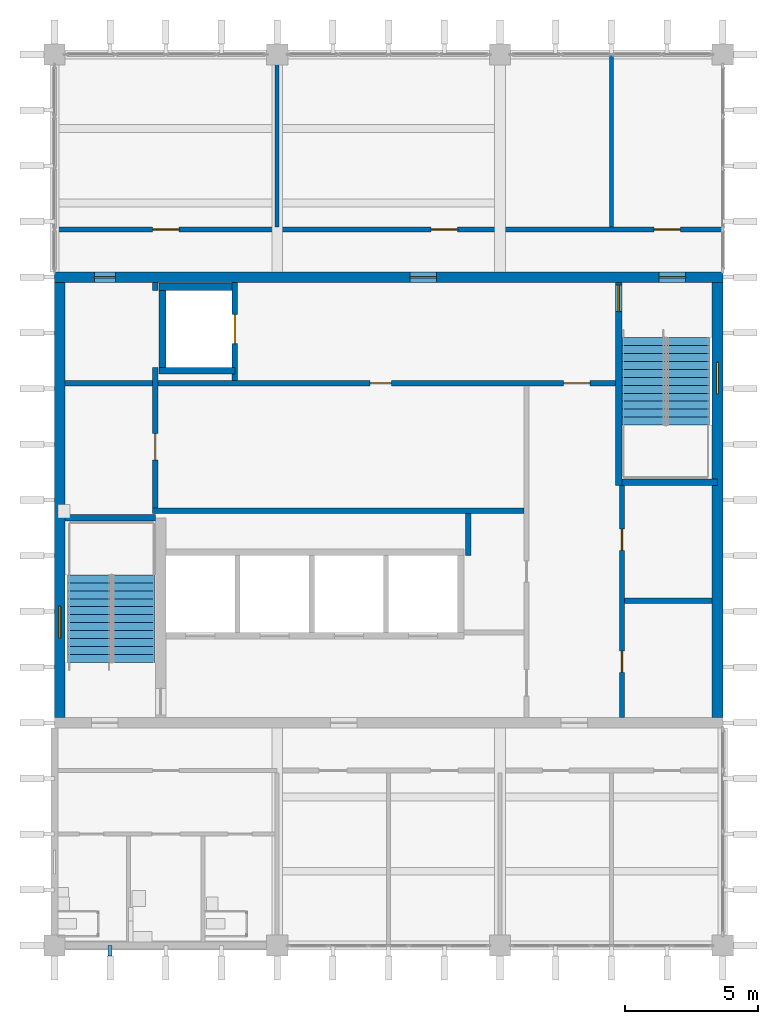
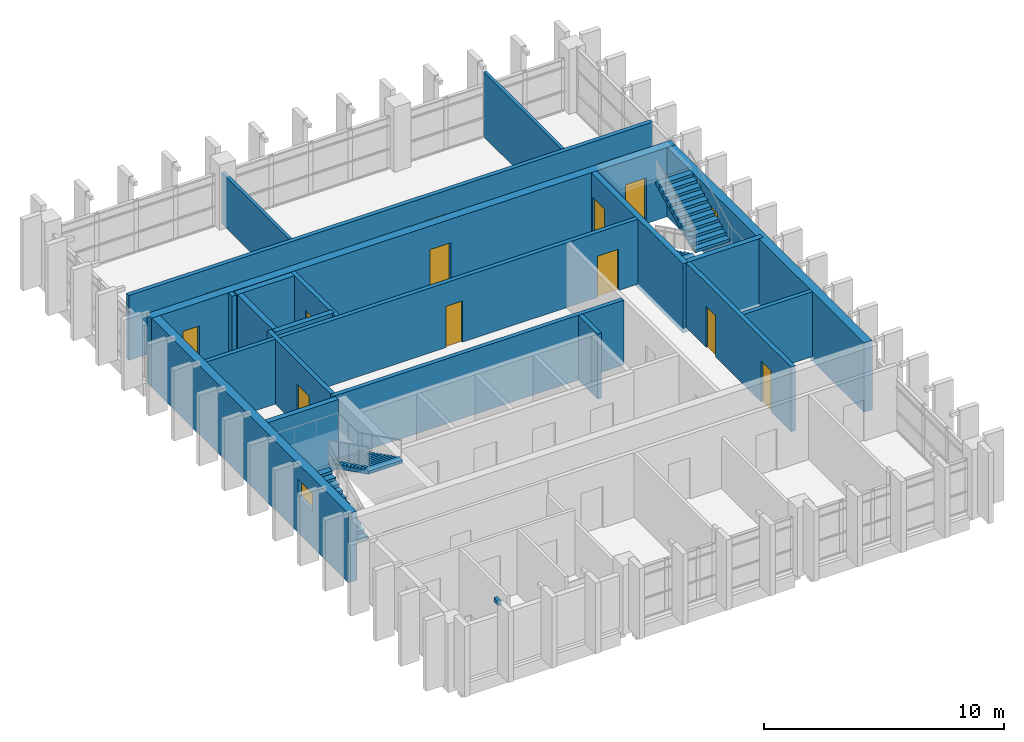
# One storey, part 8 of 11: 20 walls, 13 doors, 4 stair flights, 2 windows, 1 discrete accessory, 15 openings, 2 elements without a shape of their own.
"""IFC4 building model written with IfcOpenShell, lengths in metres."""

from ifc_helpers import new_model, si_unit, direction, frame, frame_2d, origin, origin_2d, place, context, subcontext, project, spatial, polyline, rectangle, outline, extrude, material, layer, layer_set, type_object, element, fill, aggregate, save


model = new_model("IFC4")

# Units and contexts
model_context = context("Model", 3, precision=1e-05, world=origin(), true_north=direction((0.0, 1.0)))
body_context = subcontext(model_context, "Body", "Model", "MODEL_VIEW")
ifc_project = project(units=[si_unit("LENGTHUNIT", "METRE"), si_unit("AREAUNIT", "SQUARE_METRE"), si_unit("VOLUMEUNIT", "CUBIC_METRE"), si_unit("PLANEANGLEUNIT", "RADIAN"), si_unit("MASSUNIT", "GRAM", prefix="KILO")], contexts=[model_context])

# Site, building, storey
site_placement = place(None, origin())
site = spatial("IfcSite", under=ifc_project, at=site_placement, CompositionType="ELEMENT")
building_placement = place(site_placement, origin())
building = spatial("IfcBuilding", under=site, at=building_placement, Name="Rulbaag Community and Learning Centre", CompositionType="ELEMENT")
storey_placement = place(building_placement, frame((0.0, 0.0, 46.800048828125)))
storey = spatial("IfcBuildingStorey", under=building, at=storey_placement, Name="L12", CompositionType="ELEMENT", Elevation=46.800048828125)

# Walls
ifc_material_1 = material(Name="Concrete blockwork", Category="masonry")
ifc_layer_1 = layer(ifc_material_1, 0.199951171875)
ifc_layer_set_1 = layer_set([ifc_layer_1], Name="FW-200 FIRE WALL 200")
wall_type_1 = type_object("IfcWallType", Name="FW-200 FIRE WALL 200", PredefinedType="SOLIDWALL", material=ifc_layer_set_1)
wall_1_placement = place(storey_placement, frame((164.300048828125, 97.0, 0.0), z_axis=(0.0, 0.0, 1.0), x_axis=(1.0, 0.0, 0.0)))
element("IfcWall", 1, at=wall_1_placement, inside=storey, type_object=wall_type_1, Name="Fire wall L12 6", PredefinedType="SOLIDWALL", context=body_context, shape_type="SweptSolid", body=[
    extrude(rectangle(XDim=3.300048828125, YDim=0.199951171875, at=frame_2d((1.64990234375, 0.0))), origin(), (0.0, 0.0, 1.0), 3.300048828125),
])
wall_2_placement = place(storey_placement, frame((146.5, 100.39990234375, 0.0), z_axis=(0.0, 0.0, 1.0), x_axis=(1.0, 0.0, 0.0)))
element("IfcWall", 2, at=wall_2_placement, inside=storey, type_object=wall_type_1, Name="Fire wall L12 8", PredefinedType="SOLIDWALL", context=body_context, shape_type="SweptSolid", body=[
    extrude(rectangle(XDim=14.0, YDim=0.199951171875, at=frame_2d((7.0, 0.0))), origin(), (0.0, 0.0, 1.0), 3.300048828125),
])

# Wall, openings, doors
wall_3_placement = place(storey_placement, frame((143.199951171875, 105.199951171875, 0.0), z_axis=(0.0, 0.0, 1.0), x_axis=(1.0, 0.0, 0.0)))
wall_3 = element("IfcWall", 3, at=wall_3_placement, inside=storey, type_object=wall_type_1, Name="Fire wall L12 9", PredefinedType="SOLIDWALL", context=body_context, shape_type="SweptSolid", body=[
    extrude(rectangle(XDim=20.75, YDim=0.199951171875, at=frame_2d((10.375, 0.0))), origin(), (0.0, 0.0, 1.0), 3.300048828125),
])
opening_1_placement = place(wall_3_placement, frame((11.5, 0.0, 0.0)))
opening_1 = element("IfcOpeningElement", 4, at=opening_1_placement, cuts=wall_3, Name="Opening L12-D018", PredefinedType="OPENING", context=body_context, shape_type="SweptSolid", body=[
    extrude(rectangle(XDim=0.800048828125, YDim=2.10009765625, at=frame_2d((0.39990234375, 1.050048828125))), frame((0.0, 0.10986328125, 0.0), z_axis=(0.0, -1.0, 0.0), x_axis=(1.0, 0.0, 0.0)), (0.0, 0.0, 1.0), 0.219970703125),
])
opening_2_placement = place(wall_3_placement, frame((18.800048828125, 0.0, 0.0)))
opening_2 = element("IfcOpeningElement", 5, at=opening_2_placement, cuts=wall_3, Name="Opening L12-D027", PredefinedType="OPENING", context=body_context, shape_type="SweptSolid", body=[
    extrude(rectangle(XDim=1.0, YDim=2.10009765625, at=frame_2d((0.5, 1.050048828125))), frame((0.0, 0.10986328125, 0.0), z_axis=(0.0, -1.0, 0.0), x_axis=(1.0, 0.0, 0.0)), (0.0, 0.0, 1.0), 0.219970703125),
])
ifc_material_2 = material(Name="Galvanised steel", Category="steel")
door_type_1 = type_object("IfcDoorType", Name="FD-1000 FIRE DOOR 1000 x 2100", OperationType="SINGLE_SWING_LEFT", PredefinedType="DOOR", material=ifc_material_2)
door_1_placement = place(opening_2_placement, origin())
door_1 = element("IfcDoor", 6, at=door_1_placement, inside=storey, type_object=door_type_1, Name="Door L12-D027", OperationType="SINGLE_SWING_LEFT", OverallHeight=2.10009765625, OverallWidth=1.0, PredefinedType="DOOR", context=body_context, shape_type="SweptSolid", body=[
    extrude(rectangle(XDim=1.0, YDim=2.10009765625, at=frame_2d((0.5, 1.050048828125))), frame((0.0, 0.02490234375, 0.0), z_axis=(0.0, -1.0, 0.0), x_axis=(1.0, 0.0, 0.0)), (0.0, 0.0, 1.0), 0.050048828125),
])
fill(opening_2, door_1)
door_type_2 = type_object("IfcDoorType", Name="FDR-800 RISER FIRE DOOR 800 x 2100", OperationType="SINGLE_SWING_LEFT", PredefinedType="DOOR", material=ifc_material_2)
door_2_placement = place(opening_1_placement, origin())
door_2 = element("IfcDoor", 7, at=door_2_placement, inside=storey, type_object=door_type_2, Name="Riser door L12-D023", OperationType="SINGLE_SWING_RIGHT", OverallHeight=2.10009765625, OverallWidth=0.800048828125, PredefinedType="DOOR", context=body_context, shape_type="SweptSolid", body=[
    extrude(rectangle(XDim=0.800048828125, YDim=2.10009765625, at=frame_2d((0.39990234375, 1.050048828125))), frame((0.0, 0.02490234375, 0.0), z_axis=(0.0, -1.0, 0.0), x_axis=(1.0, 0.0, 0.0)), (0.0, 0.0, 1.0), 0.050048828125),
])
fill(opening_1, door_2)

wall_4_placement = place(storey_placement, frame((142.800048828125, 111.0, 0.0), z_axis=(0.0, 0.0, 1.0), x_axis=(1.0, 0.0, 0.0)))
wall_4 = element("IfcWall", 8, at=wall_4_placement, inside=storey, type_object=wall_type_1, Name="Fire wall L12 10", PredefinedType="SOLIDWALL", context=body_context, shape_type="SweptSolid", body=[
    extrude(rectangle(XDim=25.199951171875, YDim=0.199951171875, at=frame_2d((12.60009765625, 0.0))), origin(), (0.0, 0.0, 1.0), 3.300048828125),
])
opening_3_placement = place(wall_4_placement, frame((3.699951171875, 0.0, 0.0)))
opening_3 = element("IfcOpeningElement", 9, at=opening_3_placement, cuts=wall_4, Name="Opening L12-D009", PredefinedType="OPENING", context=body_context, shape_type="SweptSolid", body=[
    extrude(rectangle(XDim=1.0, YDim=2.10009765625, at=frame_2d((0.5, 1.050048828125))), frame((0.0, 0.10986328125, 0.0), z_axis=(0.0, -1.0, 0.0), x_axis=(1.0, 0.0, 0.0)), (0.0, 0.0, 1.0), 0.219970703125),
])
opening_4_placement = place(wall_4_placement, frame((14.199951171875, 0.0, 0.0)))
opening_4 = element("IfcOpeningElement", 10, at=opening_4_placement, cuts=wall_4, Name="Opening L12-D022", PredefinedType="OPENING", context=body_context, shape_type="SweptSolid", body=[
    extrude(rectangle(XDim=1.0, YDim=2.10009765625, at=frame_2d((0.5, 1.050048828125))), frame((0.0, 0.10986328125, 0.0), z_axis=(0.0, -1.0, 0.0), x_axis=(1.0, 0.0, 0.0)), (0.0, 0.0, 1.0), 0.219970703125),
])
opening_5_placement = place(wall_4_placement, frame((22.60009765625, 0.0, 0.0)))
opening_5 = element("IfcOpeningElement", 11, at=opening_5_placement, cuts=wall_4, Name="Opening L12-D032", PredefinedType="OPENING", context=body_context, shape_type="SweptSolid", body=[
    extrude(rectangle(XDim=1.0, YDim=2.10009765625, at=frame_2d((0.5, 1.050048828125))), frame((0.0, 0.10986328125, 0.0), z_axis=(0.0, -1.0, 0.0), x_axis=(1.0, 0.0, 0.0)), (0.0, 0.0, 1.0), 0.219970703125),
])
door_3_placement = place(opening_3_placement, origin())
door_3 = element("IfcDoor", 12, at=door_3_placement, inside=storey, type_object=door_type_1, Name="Door L12-D009", OperationType="SINGLE_SWING_RIGHT", OverallHeight=2.10009765625, OverallWidth=1.0, PredefinedType="DOOR", context=body_context, shape_type="SweptSolid", body=[
    extrude(rectangle(XDim=1.0, YDim=2.10009765625, at=frame_2d((0.5, 1.050048828125))), frame((0.0, 0.02490234375, 0.0), z_axis=(0.0, -1.0, 0.0), x_axis=(1.0, 0.0, 0.0)), (0.0, 0.0, 1.0), 0.050048828125),
])
fill(opening_3, door_3)
door_4_placement = place(opening_4_placement, origin())
door_4 = element("IfcDoor", 13, at=door_4_placement, inside=storey, type_object=door_type_1, Name="Door L12-D022", OperationType="SINGLE_SWING_LEFT", OverallHeight=2.10009765625, OverallWidth=1.0, PredefinedType="DOOR", context=body_context, shape_type="SweptSolid", body=[
    extrude(rectangle(XDim=1.0, YDim=2.10009765625, at=frame_2d((0.5, 1.050048828125))), frame((0.0, 0.02490234375, 0.0), z_axis=(0.0, -1.0, 0.0), x_axis=(1.0, 0.0, 0.0)), (0.0, 0.0, 1.0), 0.050048828125),
])
fill(opening_4, door_4)
door_5_placement = place(opening_5_placement, origin())
door_5 = element("IfcDoor", 14, at=door_5_placement, inside=storey, type_object=door_type_1, Name="Door L12-D032", OperationType="SINGLE_SWING_LEFT", OverallHeight=2.10009765625, OverallWidth=1.0, PredefinedType="DOOR", context=body_context, shape_type="SweptSolid", body=[
    extrude(rectangle(XDim=1.0, YDim=2.10009765625, at=frame_2d((0.5, 1.050048828125))), frame((0.0, 0.02490234375, 0.0), z_axis=(0.0, -1.0, 0.0), x_axis=(1.0, 0.0, 0.0)), (0.0, 0.0, 1.0), 0.050048828125),
])
fill(opening_5, door_5)

# Wall, opening, door
wall_5_placement = place(storey_placement, frame((146.60009765625, 100.5, 0.0), z_axis=(0.0, 0.0, 1.0), x_axis=(0.0, 1.0, 0.0)))
wall_5 = element("IfcWall", 15, at=wall_5_placement, inside=storey, type_object=wall_type_1, Name="Fire wall L12 12", PredefinedType="SOLIDWALL", context=body_context, shape_type="SweptSolid", body=[
    extrude(rectangle(XDim=5.300048828125, YDim=0.199951171875, at=frame_2d((2.64990234375, 0.0))), origin(), (0.0, 0.0, 1.0), 3.300048828125),
])
opening_6_placement = place(wall_5_placement, frame((1.800048828125, 0.0, 0.0)))
opening_6 = element("IfcOpeningElement", 16, at=opening_6_placement, cuts=wall_5, Name="Opening L12-D005", PredefinedType="OPENING", context=body_context, shape_type="SweptSolid", body=[
    extrude(rectangle(XDim=1.0, YDim=2.10009765625, at=frame_2d((0.5, 1.050048828125))), frame((0.0, 0.10986328125, 0.0), z_axis=(0.0, -1.0, 0.0), x_axis=(1.0, 0.0, 0.0)), (0.0, 0.0, 1.0), 0.219970703125),
])
door_6_placement = place(opening_6_placement, origin())
door_6 = element("IfcDoor", 17, at=door_6_placement, inside=storey, type_object=door_type_1, Name="Door L12-D005", OperationType="SINGLE_SWING_LEFT", OverallHeight=2.10009765625, OverallWidth=1.0, PredefinedType="DOOR", context=body_context, shape_type="SweptSolid", body=[
    extrude(rectangle(XDim=1.0, YDim=2.10009765625, at=frame_2d((0.5, 1.050048828125))), frame((0.0, 0.02490234375, 0.0), z_axis=(0.0, -1.0, 0.0), x_axis=(1.0, 0.0, 0.0)), (0.0, 0.0, 1.0), 0.050048828125),
])
fill(opening_6, door_6)

# Wall
wall_6_placement = place(storey_placement, frame((146.60009765625, 108.699951171875, 0.0), z_axis=(0.0, 0.0, 1.0), x_axis=(0.0, 1.0, 0.0)))
element("IfcWall", 18, at=wall_6_placement, inside=storey, type_object=wall_type_1, Name="Fire wall L12 13", PredefinedType="SOLIDWALL", context=body_context, shape_type="SweptSolid", body=[
    extrude(rectangle(XDim=0.300048828125, YDim=0.199951171875, at=frame_2d((0.14990234375, 0.0))), origin(), (0.0, 0.0, 1.0), 3.300048828125),
])

# Wall, opening, door
wall_7_placement = place(storey_placement, frame((149.60009765625, 105.300048828125, 0.0), z_axis=(0.0, 0.0, 1.0), x_axis=(0.0, 1.0, 0.0)))
wall_7 = element("IfcWall", 19, at=wall_7_placement, inside=storey, type_object=wall_type_1, Name="Fire wall L12 15", PredefinedType="SOLIDWALL", context=body_context, shape_type="SweptSolid", body=[
    extrude(rectangle(XDim=3.699951171875, YDim=0.199951171875, at=frame_2d((1.85009765625, 0.0))), origin(), (0.0, 0.0, 1.0), 3.300048828125),
])
opening_7_placement = place(wall_7_placement, frame((1.39990234375, 0.0, 0.0)))
opening_7 = element("IfcOpeningElement", 20, at=opening_7_placement, cuts=wall_7, Name="Opening L12-D011", PredefinedType="OPENING", context=body_context, shape_type="SweptSolid", body=[
    extrude(rectangle(XDim=1.10009765625, YDim=2.10009765625, at=frame_2d((0.550048828125, 1.050048828125))), frame((0.0, 0.10986328125, 0.0), z_axis=(0.0, -1.0, 0.0), x_axis=(1.0, 0.0, 0.0)), (0.0, 0.0, 1.0), 0.219970703125),
])
ifc_material_3 = material(Name="Stainless steel grade 304", Category="steel")
door_type_3 = type_object("IfcDoorType", Name="LD-1100 LIFT LANDING DOOR 1100 x 2100", OperationType="SLIDING_TO_LEFT", PredefinedType="DOOR", material=ifc_material_3)
door_7_placement = place(opening_7_placement, origin())
door_7 = element("IfcDoor", 21, at=door_7_placement, inside=storey, type_object=door_type_3, Name="Lift landing door LF1 L12", OperationType="SLIDING_TO_LEFT", OverallHeight=2.10009765625, OverallWidth=1.10009765625, PredefinedType="DOOR", context=body_context, shape_type="SweptSolid", body=[
    extrude(rectangle(XDim=1.10009765625, YDim=2.10009765625, at=frame_2d((0.550048828125, 1.050048828125))), frame((0.0, 0.02490234375, 0.0), z_axis=(0.0, -1.0, 0.0), x_axis=(1.0, 0.0, 0.0)), (0.0, 0.0, 1.0), 0.050048828125),
])
fill(opening_7, door_7)

# Wall
wall_8_placement = place(storey_placement, frame((158.39990234375, 98.699951171875, 0.0), z_axis=(0.0, 0.0, 1.0), x_axis=(0.0, 1.0, 0.0)))
element("IfcWall", 22, at=wall_8_placement, inside=storey, type_object=wall_type_1, Name="Fire wall L12 19", PredefinedType="SOLIDWALL", context=body_context, shape_type="SweptSolid", body=[
    extrude(rectangle(XDim=1.60009765625, YDim=0.199951171875, at=frame_2d((0.800048828125, 0.0))), origin(), (0.0, 0.0, 1.0), 3.300048828125),
])

# Wall, openings, doors
wall_9_placement = place(storey_placement, frame((164.199951171875, 92.60009765625, 0.0), z_axis=(0.0, 0.0, 1.0), x_axis=(0.0, 1.0, 0.0)))
wall_9 = element("IfcWall", 23, at=wall_9_placement, inside=storey, type_object=wall_type_1, Name="Fire wall L12 24", PredefinedType="SOLIDWALL", context=body_context, shape_type="SweptSolid", body=[
    extrude(rectangle(XDim=8.75, YDim=0.199951171875, at=frame_2d((4.375, 0.0))), origin(), (0.0, 0.0, 1.0), 3.300048828125),
])
opening_8_placement = place(wall_9_placement, frame((1.699951171875, 0.0, 0.0)))
opening_8 = element("IfcOpeningElement", 24, at=opening_8_placement, cuts=wall_9, Name="Opening L12-D029", PredefinedType="OPENING", context=body_context, shape_type="SweptSolid", body=[
    extrude(rectangle(XDim=0.800048828125, YDim=2.10009765625, at=frame_2d((0.39990234375, 1.050048828125))), frame((0.0, 0.10986328125, 0.0), z_axis=(0.0, -1.0, 0.0), x_axis=(1.0, 0.0, 0.0)), (0.0, 0.0, 1.0), 0.219970703125),
])
opening_9_placement = place(wall_9_placement, frame((6.300048828125, 0.0, 0.0)))
opening_9 = element("IfcOpeningElement", 25, at=opening_9_placement, cuts=wall_9, Name="Opening L12-D030", PredefinedType="OPENING", context=body_context, shape_type="SweptSolid", body=[
    extrude(rectangle(XDim=0.800048828125, YDim=2.10009765625, at=frame_2d((0.39990234375, 1.050048828125))), frame((0.0, 0.10986328125, 0.0), z_axis=(0.0, -1.0, 0.0), x_axis=(1.0, 0.0, 0.0)), (0.0, 0.0, 1.0), 0.219970703125),
])
door_8_placement = place(opening_8_placement, origin())
door_8 = element("IfcDoor", 26, at=door_8_placement, inside=storey, type_object=door_type_2, Name="Riser door L12-D020", OperationType="SINGLE_SWING_LEFT", OverallHeight=2.10009765625, OverallWidth=0.800048828125, PredefinedType="DOOR", context=body_context, shape_type="SweptSolid", body=[
    extrude(rectangle(XDim=0.800048828125, YDim=2.10009765625, at=frame_2d((0.39990234375, 1.050048828125))), frame((0.0, 0.02490234375, 0.0), z_axis=(0.0, -1.0, 0.0), x_axis=(1.0, 0.0, 0.0)), (0.0, 0.0, 1.0), 0.050048828125),
])
fill(opening_8, door_8)
door_9_placement = place(opening_9_placement, origin())
door_9 = element("IfcDoor", 27, at=door_9_placement, inside=storey, type_object=door_type_2, Name="Riser door L12-D021", OperationType="SINGLE_SWING_RIGHT", OverallHeight=2.10009765625, OverallWidth=0.800048828125, PredefinedType="DOOR", context=body_context, shape_type="SweptSolid", body=[
    extrude(rectangle(XDim=0.800048828125, YDim=2.10009765625, at=frame_2d((0.39990234375, 1.050048828125))), frame((0.0, 0.02490234375, 0.0), z_axis=(0.0, -1.0, 0.0), x_axis=(1.0, 0.0, 0.0)), (0.0, 0.0, 1.0), 0.050048828125),
])
fill(opening_9, door_9)

# Walls
ifc_layer_2 = layer(ifc_material_1, 0.14990234375)
ifc_layer_set_2 = layer_set([ifc_layer_2], Name="IP-150 PARTITION 150")
wall_type_2 = type_object("IfcWallType", Name="IP-150 PARTITION 150", PredefinedType="PARTITIONING", material=ifc_layer_set_2)
wall_10_placement = place(storey_placement, frame((151.199951171875, 111.10009765625, 0.0), z_axis=(0.0, 0.0, 1.0), x_axis=(0.0, 1.0, 0.0)))
element("IfcWall", 28, at=wall_10_placement, inside=storey, type_object=wall_type_2, Name="Partition L12 17", PredefinedType="PARTITIONING", context=body_context, shape_type="SweptSolid", body=[
    extrude(rectangle(XDim=6.5, YDim=0.14990234375, at=frame_2d((3.25, 0.0))), origin(), (0.0, 0.0, 1.0), 2.599853515625),
])
wall_11_placement = place(storey_placement, frame((163.800048828125, 111.10009765625, 0.0), z_axis=(0.0, 0.0, 1.0), x_axis=(0.0, 1.0, 0.0)))
element("IfcWall", 29, at=wall_11_placement, inside=storey, type_object=wall_type_2, Name="Partition L12 23", PredefinedType="PARTITIONING", context=body_context, shape_type="SweptSolid", body=[
    extrude(rectangle(XDim=6.5, YDim=0.14990234375, at=frame_2d((3.25, 0.0))), origin(), (0.0, 0.0, 1.0), 3.300048828125),
])
ifc_material_4 = material(Name="Concrete M40", Category="concrete")
ifc_layer_3 = layer(ifc_material_4, 0.27490234375)
ifc_layer_set_3 = layer_set([ifc_layer_3], Name="W16 Shaft wall 275 Concrete M40")
wall_type_3 = type_object("IfcWallType", Name="W16 Shaft wall 275 Concrete M40", PredefinedType="SHEAR", material=ifc_layer_set_3)
wall_12_placement = place(storey_placement, frame((146.75, 108.83740234375, -0.22509765625), z_axis=(0.0, 0.0, 1.0), x_axis=(1.0, 0.0, 0.0)))
element("IfcWall", 30, at=wall_12_placement, inside=storey, type_object=wall_type_3, Name="WL-LF-N-L12", PredefinedType="SHEAR", context=body_context, shape_type="SweptSolid", body=[
    extrude(rectangle(XDim=2.85009765625, YDim=0.27490234375, at=frame_2d((1.425048828125, 0.0))), origin(), (0.0, 0.0, 1.0), 3.525146484375),
])

# Wall, openings, doors
ifc_material_5 = material(Name="Concrete M60", Category="concrete")
ifc_layer_4 = layer(ifc_material_5, 0.39990234375)
ifc_layer_set_4 = layer_set([ifc_layer_4], Name="W2 Core wall 400 Concrete M60")
wall_type_4 = type_object("IfcWallType", Name="W2 Core wall 400 Concrete M60", PredefinedType="SHEAR", material=ifc_layer_set_4)
wall_13_placement = place(storey_placement, frame((142.800048828125, 109.199951171875, -0.22509765625), z_axis=(0.0, 0.0, 1.0), x_axis=(1.0, 0.0, 0.0)))
wall_13 = element("IfcWall", 31, at=wall_13_placement, inside=storey, type_object=wall_type_4, Name="WL-CORE-N-L12", PredefinedType="SHEAR", context=body_context, shape_type="SweptSolid", body=[
    extrude(rectangle(XDim=25.199951171875, YDim=0.39990234375, at=frame_2d((12.60009765625, 0.0))), origin(), (0.0, 0.0, 1.0), 3.525146484375),
])
opening_10_placement = place(wall_13_placement, frame((22.800048828125, 0.0, 0.22509765625)))
opening_10 = element("IfcOpeningElement", 32, at=opening_10_placement, cuts=wall_13, Name="Opening L12-D033", PredefinedType="OPENING", context=body_context, shape_type="SweptSolid", body=[
    extrude(rectangle(XDim=1.0, YDim=2.10009765625, at=frame_2d((0.5, 1.050048828125))), frame((0.0, 0.2099609375, 0.0), z_axis=(0.0, -1.0, 0.0), x_axis=(1.0, 0.0, 0.0)), (0.0, 0.0, 1.0), 0.419921875),
])
opening_11_placement = place(wall_13_placement, frame((1.5, 0.0, 0.22509765625)))
opening_11 = element("IfcOpeningElement", 33, at=opening_11_placement, cuts=wall_13, Name="Opening L12-D004", PredefinedType="OPENING", context=body_context, shape_type="SweptSolid", body=[
    extrude(rectangle(XDim=0.800048828125, YDim=2.10009765625, at=frame_2d((0.39990234375, 1.050048828125))), frame((0.0, 0.2099609375, 0.0), z_axis=(0.0, -1.0, 0.0), x_axis=(1.0, 0.0, 0.0)), (0.0, 0.0, 1.0), 0.419921875),
])
opening_12_placement = place(wall_13_placement, frame((13.39990234375, 0.0, 0.22509765625)))
opening_12 = element("IfcOpeningElement", 34, at=opening_12_placement, cuts=wall_13, Name="Opening L12-D020", PredefinedType="OPENING", context=body_context, shape_type="SweptSolid", body=[
    extrude(rectangle(XDim=1.0, YDim=2.10009765625, at=frame_2d((0.5, 1.050048828125))), frame((0.0, 0.2099609375, 0.0), z_axis=(0.0, -1.0, 0.0), x_axis=(1.0, 0.0, 0.0)), (0.0, 0.0, 1.0), 0.419921875),
])
door_10_placement = place(opening_10_placement, origin())
door_10 = element("IfcDoor", 35, at=door_10_placement, inside=storey, type_object=door_type_1, Name="Door L12-D033", OperationType="SINGLE_SWING_LEFT", OverallHeight=2.10009765625, OverallWidth=1.0, PredefinedType="DOOR", context=body_context, shape_type="SweptSolid", body=[
    extrude(rectangle(XDim=1.0, YDim=2.10009765625, at=frame_2d((0.5, 1.050048828125))), frame((0.0, 0.02490234375, 0.0), z_axis=(0.0, -1.0, 0.0), x_axis=(1.0, 0.0, 0.0)), (0.0, 0.0, 1.0), 0.050048828125),
])
fill(opening_10, door_10)
door_11_placement = place(opening_12_placement, origin())
door_11 = element("IfcDoor", 36, at=door_11_placement, inside=storey, type_object=door_type_1, Name="Door L12-D020", OperationType="SINGLE_SWING_LEFT", OverallHeight=2.10009765625, OverallWidth=1.0, PredefinedType="DOOR", context=body_context, shape_type="SweptSolid", body=[
    extrude(rectangle(XDim=1.0, YDim=2.10009765625, at=frame_2d((0.5, 1.050048828125))), frame((0.0, 0.02490234375, 0.0), z_axis=(0.0, -1.0, 0.0), x_axis=(1.0, 0.0, 0.0)), (0.0, 0.0, 1.0), 0.050048828125),
])
fill(opening_12, door_11)
door_12_placement = place(opening_11_placement, origin())
door_12 = element("IfcDoor", 37, at=door_12_placement, inside=storey, type_object=door_type_2, Name="Riser door L12-D025", OperationType="SINGLE_SWING_LEFT", OverallHeight=2.10009765625, OverallWidth=0.800048828125, PredefinedType="DOOR", context=body_context, shape_type="SweptSolid", body=[
    extrude(rectangle(XDim=0.800048828125, YDim=2.10009765625, at=frame_2d((0.39990234375, 1.050048828125))), frame((0.0, 0.02490234375, 0.0), z_axis=(0.0, -1.0, 0.0), x_axis=(1.0, 0.0, 0.0)), (0.0, 0.0, 1.0), 0.050048828125),
])
fill(opening_11, door_12)

# Wall, opening, window
wall_14_placement = place(storey_placement, frame((143.0, 92.60009765625, -0.22509765625), z_axis=(0.0, 0.0, 1.0), x_axis=(0.0, 1.0, 0.0)))
wall_14 = element("IfcWall", 38, at=wall_14_placement, inside=storey, type_object=wall_type_4, Name="WL-CORE-W-L12", PredefinedType="SHEAR", context=body_context, shape_type="SweptSolid", body=[
    extrude(rectangle(XDim=16.39990234375, YDim=0.39990234375, at=frame_2d((8.199951171875, 0.0))), origin(), (0.0, 0.0, 1.0), 3.525146484375),
])
opening_13_placement = place(wall_14_placement, frame((3.0, 0.0, 1.824951171875)))
opening_13 = element("IfcOpeningElement", 39, at=opening_13_placement, cuts=wall_14, Name="Opening WN19", PredefinedType="OPENING", context=body_context, shape_type="SweptSolid", body=[
    extrude(rectangle(XDim=1.199951171875, YDim=0.89990234375, at=frame_2d((0.60009765625, 0.449951171875))), frame((0.0, 0.2099609375, 0.0), z_axis=(0.0, -1.0, 0.0), x_axis=(1.0, 0.0, 0.0)), (0.0, 0.0, 1.0), 0.419921875),
])
ifc_material_6 = material(Name="Aluminium", Category="aluminium")
window_type = type_object("IfcWindowType", Name="WS-12", PartitioningType="SINGLE_PANEL", PredefinedType="WINDOW", material=ifc_material_6)
window_1_placement = place(opening_13_placement, origin())
window_1 = element("IfcWindow", 40, at=window_1_placement, inside=storey, type_object=window_type, Name="Stair window", OverallHeight=0.89990234375, OverallWidth=1.199951171875, PartitioningType="SINGLE_PANEL", PredefinedType="WINDOW", context=body_context, shape_type="SweptSolid", body=[
    extrude(rectangle(XDim=1.199951171875, YDim=0.89990234375, at=frame_2d((0.60009765625, 0.449951171875))), frame((0.0, 0.030029296875, 0.0), z_axis=(0.0, -1.0, 0.0), x_axis=(1.0, 0.0, 0.0)), (0.0, 0.0, 1.0), 0.06005859375),
])
fill(opening_13, window_1)

wall_15_placement = place(storey_placement, frame((167.800048828125, 92.60009765625, -0.22509765625), z_axis=(0.0, 0.0, 1.0), x_axis=(0.0, 1.0, 0.0)))
wall_15 = element("IfcWall", 41, at=wall_15_placement, inside=storey, type_object=wall_type_4, Name="WL-CORE-E-L12", PredefinedType="SHEAR", context=body_context, shape_type="SweptSolid", body=[
    extrude(rectangle(XDim=16.39990234375, YDim=0.39990234375, at=frame_2d((8.199951171875, 0.0))), origin(), (0.0, 0.0, 1.0), 3.525146484375),
])
opening_14_placement = place(wall_15_placement, frame((12.199951171875, 0.0, 1.824951171875)))
opening_14 = element("IfcOpeningElement", 42, at=opening_14_placement, cuts=wall_15, Name="Opening WN19", PredefinedType="OPENING", context=body_context, shape_type="SweptSolid", body=[
    extrude(rectangle(XDim=1.199951171875, YDim=0.89990234375, at=frame_2d((0.60009765625, 0.449951171875))), frame((0.0, 0.2099609375, 0.0), z_axis=(0.0, -1.0, 0.0), x_axis=(1.0, 0.0, 0.0)), (0.0, 0.0, 1.0), 0.419921875),
])
window_2_placement = place(opening_14_placement, origin())
window_2 = element("IfcWindow", 43, at=window_2_placement, inside=storey, type_object=window_type, Name="Stair window", OverallHeight=0.89990234375, OverallWidth=1.199951171875, PartitioningType="SINGLE_PANEL", PredefinedType="WINDOW", context=body_context, shape_type="SweptSolid", body=[
    extrude(rectangle(XDim=1.199951171875, YDim=0.89990234375, at=frame_2d((0.60009765625, 0.449951171875))), frame((0.0, 0.030029296875, 0.0), z_axis=(0.0, -1.0, 0.0), x_axis=(1.0, 0.0, 0.0)), (0.0, 0.0, 1.0), 0.06005859375),
])
fill(opening_14, window_2)

# Wall
ifc_layer_5 = layer(ifc_material_4, 0.25)
ifc_layer_set_5 = layer_set([ifc_layer_5], Name="W5 Shaft wall 250 Concrete M40")
wall_type_5 = type_object("IfcWallType", Name="W5 Shaft wall 250 Concrete M40", PredefinedType="SHEAR", material=ifc_layer_set_5)
wall_16_placement = place(storey_placement, frame((143.199951171875, 100.125, -0.22509765625), z_axis=(0.0, 0.0, 1.0), x_axis=(1.0, 0.0, 0.0)))
element("IfcWall", 44, at=wall_16_placement, inside=storey, type_object=wall_type_5, Name="WL-ST1-N-L12", PredefinedType="SHEAR", context=body_context, shape_type="SweptSolid", body=[
    extrude(rectangle(XDim=3.400146484375, YDim=0.25, at=frame_2d((1.7001953125, 0.0))), origin(), (0.0, 0.0, 1.0), 3.525146484375),
])

# Wall, opening, door
wall_17_placement = place(storey_placement, frame((164.074951171875, 101.35009765625, -0.22509765625), z_axis=(0.0, 0.0, 1.0), x_axis=(0.0, 1.0, 0.0)))
wall_17 = element("IfcWall", 45, at=wall_17_placement, inside=storey, type_object=wall_type_5, Name="WL-ST2-W-L12", PredefinedType="SHEAR", context=body_context, shape_type="SweptSolid", body=[
    extrude(rectangle(XDim=7.64990234375, YDim=0.25, at=frame_2d((3.824951171875, 0.0))), origin(), (0.0, 0.0, 1.0), 3.525146484375),
])
opening_15_placement = place(wall_17_placement, frame((6.550048828125, 0.0, 0.22509765625)))
opening_15 = element("IfcOpeningElement", 46, at=opening_15_placement, cuts=wall_17, Name="Opening L12-D028", PredefinedType="OPENING", context=body_context, shape_type="SweptSolid", body=[
    extrude(rectangle(XDim=1.0, YDim=2.10009765625, at=frame_2d((0.5, 1.050048828125))), frame((0.0, 0.135009765625, 0.0), z_axis=(0.0, -1.0, 0.0), x_axis=(1.0, 0.0, 0.0)), (0.0, 0.0, 1.0), 0.27001953125),
])
door_13_placement = place(opening_15_placement, origin())
door_13 = element("IfcDoor", 47, at=door_13_placement, inside=storey, type_object=door_type_1, Name="Door L12-D028", OperationType="SINGLE_SWING_LEFT", OverallHeight=2.10009765625, OverallWidth=1.0, PredefinedType="DOOR", context=body_context, shape_type="SweptSolid", body=[
    extrude(rectangle(XDim=1.0, YDim=2.10009765625, at=frame_2d((0.5, 1.050048828125))), frame((0.0, 0.02490234375, 0.0), z_axis=(0.0, -1.0, 0.0), x_axis=(1.0, 0.0, 0.0)), (0.0, 0.0, 1.0), 0.050048828125),
])
fill(opening_15, door_13)

# Walls
wall_18_placement = place(storey_placement, frame((164.199951171875, 101.47509765625, -0.22509765625), z_axis=(0.0, 0.0, 1.0), x_axis=(1.0, 0.0, 0.0)))
element("IfcWall", 48, at=wall_18_placement, inside=storey, type_object=wall_type_5, Name="WL-ST2-S-L12", PredefinedType="SHEAR", context=body_context, shape_type="SweptSolid", body=[
    extrude(rectangle(XDim=3.60009765625, YDim=0.25, at=frame_2d((1.800048828125, 0.0))), origin(), (0.0, 0.0, 1.0), 3.525146484375),
])
wall_19_placement = place(storey_placement, frame((146.75, 105.675048828125, -0.22509765625), z_axis=(0.0, 0.0, 1.0), x_axis=(1.0, 0.0, 0.0)))
element("IfcWall", 49, at=wall_19_placement, inside=storey, type_object=wall_type_5, Name="WL-LF-S-L12", PredefinedType="SHEAR", context=body_context, shape_type="SweptSolid", body=[
    extrude(rectangle(XDim=2.85009765625, YDim=0.25, at=frame_2d((1.425048828125, 0.0))), origin(), (0.0, 0.0, 1.0), 3.525146484375),
])
wall_20_placement = place(storey_placement, frame((146.875, 105.800048828125, -0.22509765625), z_axis=(0.0, 0.0, 1.0), x_axis=(0.0, 1.0, 0.0)))
element("IfcWall", 50, at=wall_20_placement, inside=storey, type_object=wall_type_5, Name="WL-LF-W-L12", PredefinedType="SHEAR", context=body_context, shape_type="SweptSolid", body=[
    extrude(rectangle(XDim=2.89990234375, YDim=0.25, at=frame_2d((1.449951171875, 0.0))), origin(), (0.0, 0.0, 1.0), 3.525146484375),
])

# Stair, stair flights
stair_type = type_object("IfcStairType", Name="ST-1650 STAIR 1650 WIDE", PredefinedType="HALF_TURN_STAIR", material=ifc_material_4)
stair_1_placement = place(storey_placement, origin())
stair_1 = element("IfcStair", 51, at=stair_1_placement, inside=storey, type_object=stair_type, Name="Stair ST1 L12", PredefinedType="HALF_TURN_STAIR")
stair_flight_type = type_object("IfcStairFlightType", Name="FL-1650 FLIGHT 1650 WIDE Concrete M40", PredefinedType="STRAIGHT", material=ifc_material_4)
stair_flight_1_placement = place(storey_placement, frame((144.125, 94.675048828125, 0.0), z_axis=(0.0, 0.0, 1.0), x_axis=(0.0, 1.0, 0.0)))
stair_flight_1 = element("IfcStairFlight", 52, at=stair_flight_1_placement, type_object=stair_flight_type, Name="ST1 flight 1", NumberOfRisers=12, NumberOfTreads=11, PredefinedType="STRAIGHT", RiserHeight=0.15, TreadLength=0.3, context=body_context, shape_type="SweptSolid", body=[
    extrude(outline(polyline([(0.0, 0.0), (0.0, 0.14990234375), (0.300048828125, 0.14990234375), (0.300048828125, 0.300048828125), (0.60009765625, 0.300048828125), (0.60009765625, 0.449951171875), (0.89990234375, 0.449951171875), (0.89990234375, 0.60009765625), (1.199951171875, 0.60009765625), (1.199951171875, 0.75), (1.5, 0.75), (1.5, 0.89990234375), (1.800048828125, 0.89990234375), (1.800048828125, 1.050048828125), (2.10009765625, 1.050048828125), (2.10009765625, 1.199951171875), (2.39990234375, 1.199951171875), (2.39990234375, 1.35009765625), (2.699951171875, 1.35009765625), (2.699951171875, 1.5), (3.0, 1.5), (3.0, 1.64990234375), (3.300048828125, 1.64990234375), (3.300048828125, 1.49365234375), (0.312744140625, 0.0), (0.0, 0.0)])), frame((0.0, 0.824951171875, 0.0), z_axis=(0.0, -1.0, 0.0), x_axis=(1.0, 0.0, 0.0)), (0.0, 0.0, 1.0), 1.64990234375),
])
stair_flight_2_placement = place(storey_placement, frame((145.77490234375, 97.97509765625, 1.800048828125), z_axis=(0.0, 0.0, 1.0), x_axis=(0.0, -1.0, 0.0)))
stair_flight_2 = element("IfcStairFlight", 53, at=stair_flight_2_placement, type_object=stair_flight_type, Name="ST1 flight 2", NumberOfRisers=12, NumberOfTreads=11, PredefinedType="STRAIGHT", RiserHeight=0.15, TreadLength=0.3, context=body_context, shape_type="SweptSolid", body=[
    extrude(outline(polyline([(0.0, 0.0), (0.0, 0.14990234375), (0.300048828125, 0.14990234375), (0.300048828125, 0.300048828125), (0.60009765625, 0.300048828125), (0.60009765625, 0.449951171875), (0.89990234375, 0.449951171875), (0.89990234375, 0.60009765625), (1.199951171875, 0.60009765625), (1.199951171875, 0.75), (1.5, 0.75), (1.5, 0.89990234375), (1.800048828125, 0.89990234375), (1.800048828125, 1.050048828125), (2.10009765625, 1.050048828125), (2.10009765625, 1.199951171875), (2.39990234375, 1.199951171875), (2.39990234375, 1.35009765625), (2.699951171875, 1.35009765625), (2.699951171875, 1.5), (3.0, 1.5), (3.0, 1.64990234375), (3.300048828125, 1.64990234375), (3.300048828125, 1.49365234375), (0.312744140625, 0.0), (0.0, 0.0)])), frame((0.0, 0.824951171875, 0.0), z_axis=(0.0, -1.0, 0.0), x_axis=(1.0, 0.0, 0.0)), (0.0, 0.0, 1.0), 1.64990234375),
])
aggregate(stair_1, [stair_flight_1, stair_flight_2])

stair_2_placement = place(storey_placement, origin())
stair_2 = element("IfcStair", 54, at=stair_2_placement, inside=storey, type_object=stair_type, Name="Stair ST2 L12", PredefinedType="HALF_TURN_STAIR")
stair_flight_3_placement = place(storey_placement, frame((165.02490234375, 106.925048828125, 0.0), z_axis=(0.0, 0.0, 1.0), x_axis=(0.0, -1.0, 0.0)))
stair_flight_3 = element("IfcStairFlight", 55, at=stair_flight_3_placement, type_object=stair_flight_type, Name="ST2 flight 1", NumberOfRisers=12, NumberOfTreads=11, PredefinedType="STRAIGHT", RiserHeight=0.15, TreadLength=0.3, context=body_context, shape_type="SweptSolid", body=[
    extrude(outline(polyline([(0.0, 0.0), (0.0, 0.14990234375), (0.300048828125, 0.14990234375), (0.300048828125, 0.300048828125), (0.60009765625, 0.300048828125), (0.60009765625, 0.449951171875), (0.89990234375, 0.449951171875), (0.89990234375, 0.60009765625), (1.199951171875, 0.60009765625), (1.199951171875, 0.75), (1.5, 0.75), (1.5, 0.89990234375), (1.800048828125, 0.89990234375), (1.800048828125, 1.050048828125), (2.10009765625, 1.050048828125), (2.10009765625, 1.199951171875), (2.39990234375, 1.199951171875), (2.39990234375, 1.35009765625), (2.699951171875, 1.35009765625), (2.699951171875, 1.5), (3.0, 1.5), (3.0, 1.64990234375), (3.300048828125, 1.64990234375), (3.300048828125, 1.49365234375), (0.312744140625, 0.0), (0.0, 0.0)])), frame((0.0, 0.824951171875, 0.0), z_axis=(0.0, -1.0, 0.0), x_axis=(1.0, 0.0, 0.0)), (0.0, 0.0, 1.0), 1.64990234375),
])
stair_flight_4_placement = place(storey_placement, frame((166.675048828125, 103.625, 1.800048828125), z_axis=(0.0, 0.0, 1.0), x_axis=(0.0, 1.0, 0.0)))
stair_flight_4 = element("IfcStairFlight", 56, at=stair_flight_4_placement, type_object=stair_flight_type, Name="ST2 flight 2", NumberOfRisers=12, NumberOfTreads=11, PredefinedType="STRAIGHT", RiserHeight=0.15, TreadLength=0.3, context=body_context, shape_type="SweptSolid", body=[
    extrude(outline(polyline([(0.0, 0.0), (0.0, 0.14990234375), (0.300048828125, 0.14990234375), (0.300048828125, 0.300048828125), (0.60009765625, 0.300048828125), (0.60009765625, 0.449951171875), (0.89990234375, 0.449951171875), (0.89990234375, 0.60009765625), (1.199951171875, 0.60009765625), (1.199951171875, 0.75), (1.5, 0.75), (1.5, 0.89990234375), (1.800048828125, 0.89990234375), (1.800048828125, 1.050048828125), (2.10009765625, 1.050048828125), (2.10009765625, 1.199951171875), (2.39990234375, 1.199951171875), (2.39990234375, 1.35009765625), (2.699951171875, 1.35009765625), (2.699951171875, 1.5), (3.0, 1.5), (3.0, 1.64990234375), (3.300048828125, 1.64990234375), (3.300048828125, 1.49365234375), (0.312744140625, 0.0), (0.0, 0.0)])), frame((0.0, 0.824951171875, 0.0), z_axis=(0.0, -1.0, 0.0), x_axis=(1.0, 0.0, 0.0)), (0.0, 0.0, 1.0), 1.64990234375),
])
aggregate(stair_2, [stair_flight_3, stair_flight_4])

# Discrete accessory
ifc_material_7 = material(Name="Steel E350", Category="steel")
discrete_accessory_type = type_object("IfcDiscreteAccessoryType", Name="BR-FN", PredefinedType="BRACKET", material=ifc_material_7)
discrete_accessory_placement = place(storey_placement, frame((144.89990234375, 83.800048828125, 3.35009765625), z_axis=(0.0, 0.0, 1.0), x_axis=(1.0, 0.0, 0.0)))
element("IfcDiscreteAccessory", 57, at=discrete_accessory_placement, inside=storey, type_object=discrete_accessory_type, Name="Fin arm", PredefinedType="BRACKET", context=body_context, shape_type="SweptSolid", body=[
    extrude(rectangle(XDim=0.14990234375, YDim=0.39990234375, at=origin_2d()), origin(), (0.0, 0.0, 1.0), 0.199951171875),
])

save(model, "model.ifc")
